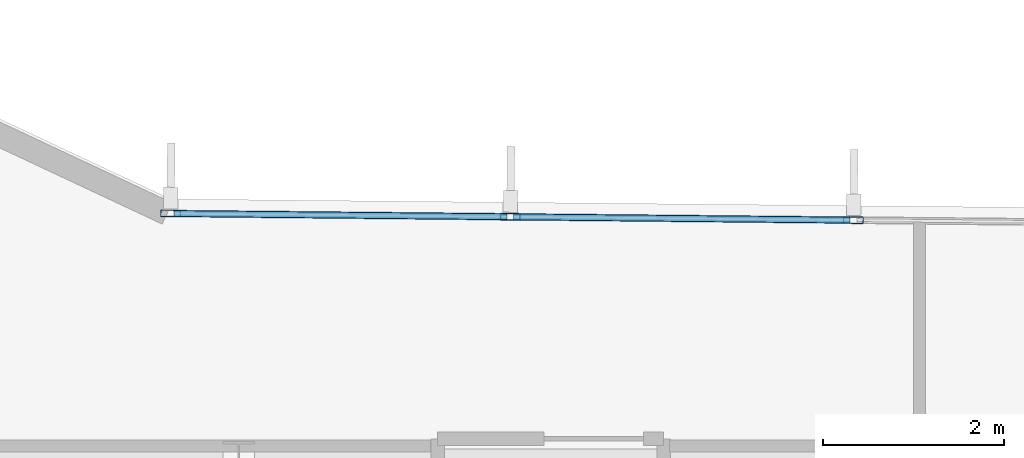
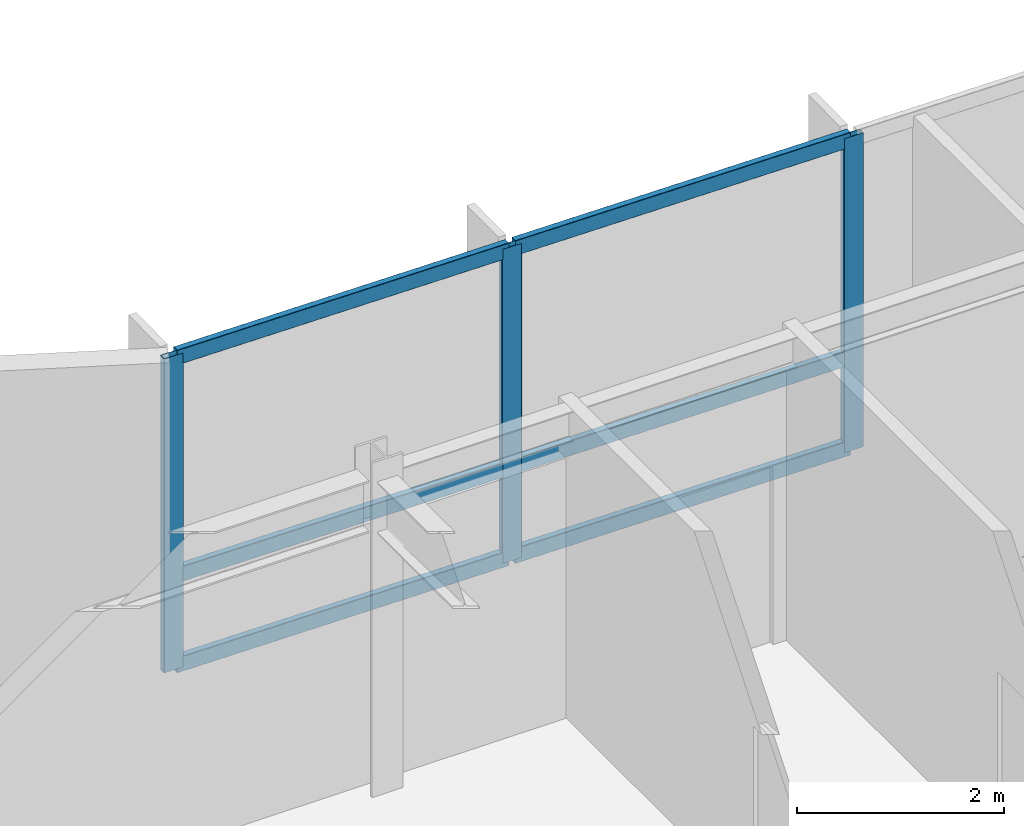
# One storey, part 4 of 19: 9 members, 1 element without a shape of its own.
"""IFC4 building model written with IfcOpenShell, lengths in metres."""

from ifc_helpers import new_model, si_unit, direction, frame, origin, origin_2d, place, context, subcontext, project, spatial, hollow_rectangle, extrude, material, layer, layer_set, material_profile, profile_set, type_object, element, aggregate, save


model = new_model("IFC4")

# Units and contexts
model_context = context("Model", 3, precision=1e-05, world=origin(), true_north=direction((0.0, 1.0)))
body_context = subcontext(model_context, "Body", "Model", "MODEL_VIEW")
ifc_project = project(units=[si_unit("LENGTHUNIT", "METRE"), si_unit("AREAUNIT", "SQUARE_METRE"), si_unit("VOLUMEUNIT", "CUBIC_METRE"), si_unit("PLANEANGLEUNIT", "RADIAN"), si_unit("MASSUNIT", "GRAM", prefix="KILO")], contexts=[model_context])

# Site, building, storey
site_placement = place(None, origin())
site = spatial("IfcSite", under=ifc_project, at=site_placement, CompositionType="ELEMENT")
building_placement = place(site_placement, origin())
building = spatial("IfcBuilding", under=site, at=building_placement, Name="Varnakote Quay Hospital", CompositionType="ELEMENT")
storey_placement = place(building_placement, frame((0.0, 0.0, 54.10009765625)))
storey = spatial("IfcBuildingStorey", under=building, at=storey_placement, Name="L13", CompositionType="ELEMENT", Elevation=54.10009765625)

# Curtain wall, members
ifc_material_1 = material(Name="Anodised aluminium 6063-T6 Bronze", Category="aluminium")
ifc_layer = layer(ifc_material_1, 0.18994140625)
ifc_layer_set = layer_set([ifc_layer], Name="Anodised aluminium 6063-T6 Bronze")
curtain_wall_type = type_object("IfcCurtainWallType", Name="CW-SYS-2", PredefinedType="NOTDEFINED", material=ifc_layer_set)
curtain_wall_placement = place(storey_placement, origin())
curtain_wall = element("IfcCurtainWall", 1, at=curtain_wall_placement, inside=storey, type_object=curtain_wall_type, Name="L13 Unitised Bronze Curtain Wall 2", PredefinedType="NOTDEFINED")
ifc_material_2 = material(Name="Anodised aluminium 6063-T6 Bronze", Category="aluminium")
ifc_material_profile_1 = material_profile(ifc_material_2, hollow_rectangle(XDim=0.074951171875, YDim=0.219970703125, WallThickness=0.00439453125, InnerFilletRadius=0.00439453125, OuterFilletRadius=0.009033203125, at=origin_2d()), Name="CW-MULL-220x75")
ifc_profile_set_1 = profile_set([ifc_material_profile_1], Name="Anodised aluminium 6063-T6 Bronze")
member_type_1 = type_object("IfcMemberType", Name="CW-MULL-220x75", PredefinedType="MULLION", material=ifc_profile_set_1)
member_1_placement = place(storey_placement, frame((31.99853515625, 31.418212890625, 0.0), z_axis=(0.0, 0.0, 1.0), x_axis=(-0.009774266312, -0.999952230718, 0.0)))
member_1 = element("IfcMember", 2, at=member_1_placement, type_object=member_type_1, Name="-2-L13-2 mullion 3", PredefinedType="MULLION", context=body_context, shape_type="SweptSolid", body=[
    extrude(hollow_rectangle(XDim=0.074951171875, YDim=0.219970703125, WallThickness=0.00439453125, InnerFilletRadius=0.00439453125, OuterFilletRadius=0.009033203125, at=origin_2d()), origin(), (0.0, 0.0, 1.0), 3.7099609375),
])
member_2_placement = place(storey_placement, frame((28.203125, 31.455078125, 0.0), z_axis=(0.0, 0.0, 1.0), x_axis=(-0.009774266312, -0.999952230718, 0.0)))
member_2 = element("IfcMember", 3, at=member_2_placement, type_object=member_type_1, Name="-2-L13-2 mullion 4", PredefinedType="MULLION", context=body_context, shape_type="SweptSolid", body=[
    extrude(hollow_rectangle(XDim=0.074951171875, YDim=0.219970703125, WallThickness=0.00439453125, InnerFilletRadius=0.00439453125, OuterFilletRadius=0.009033203125, at=origin_2d()), origin(), (0.0, 0.0, 1.0), 3.7099609375),
])
member_3_placement = place(storey_placement, frame((24.445068359375, 31.491943359375, 0.0), z_axis=(0.0, 0.0, 1.0), x_axis=(-0.009774266312, -0.999952230718, 0.0)))
member_3 = element("IfcMember", 4, at=member_3_placement, type_object=member_type_1, Name="-2-L13-2 mullion 5", PredefinedType="MULLION", context=body_context, shape_type="SweptSolid", body=[
    extrude(hollow_rectangle(XDim=0.074951171875, YDim=0.219970703125, WallThickness=0.00439453125, InnerFilletRadius=0.00439453125, OuterFilletRadius=0.009033203125, at=origin_2d()), origin(), (0.0, 0.0, 1.0), 3.7099609375),
])
ifc_material_3 = material(Name="Anodised aluminium 6063-T6 Bronze", Category="aluminium")
ifc_material_profile_2 = material_profile(ifc_material_3, hollow_rectangle(XDim=0.074951171875, YDim=0.179931640625, WallThickness=0.004150390625, InnerFilletRadius=0.004150390625, OuterFilletRadius=0.00830078125, at=origin_2d()), Name="CW-TRAN-180x75")
ifc_profile_set_2 = profile_set([ifc_material_profile_2], Name="Anodised aluminium 6063-T6 Bronze")
member_type_2 = type_object("IfcMemberType", Name="CW-TRAN-180x75", PredefinedType="USERDEFINED", material=ifc_profile_set_2)
member_4_placement = place(storey_placement, frame((31.961181640625, 31.41845703125, 0.037353515625), z_axis=(-0.999952209511, 0.009776435644, 0.0), x_axis=(-0.009776435644, -0.999952209511, 0.0)))
member_4 = element("IfcMember", 5, at=member_4_placement, type_object=member_type_2, Name="-2-L13-2 transom 3.1", ObjectType="TRANSOM", PredefinedType="USERDEFINED", context=body_context, shape_type="SweptSolid", body=[
    extrude(hollow_rectangle(XDim=0.074951171875, YDim=0.179931640625, WallThickness=0.004150390625, InnerFilletRadius=0.004150390625, OuterFilletRadius=0.00830078125, at=origin_2d()), origin(), (0.0, 0.0, 1.0), 3.720947265625),
])
member_5_placement = place(storey_placement, frame((31.961181640625, 31.41845703125, 1.099853515625), z_axis=(-0.999952209511, 0.009776435644, 0.0), x_axis=(-0.009776435644, -0.999952209511, 0.0)))
member_5 = element("IfcMember", 6, at=member_5_placement, type_object=member_type_2, Name="-2-L13-2 transom 3.2", ObjectType="TRANSOM", PredefinedType="USERDEFINED", context=body_context, shape_type="SweptSolid", body=[
    extrude(hollow_rectangle(XDim=0.074951171875, YDim=0.179931640625, WallThickness=0.004150390625, InnerFilletRadius=0.004150390625, OuterFilletRadius=0.00830078125, at=origin_2d()), origin(), (0.0, 0.0, 1.0), 3.720947265625),
])
member_6_placement = place(storey_placement, frame((31.961181640625, 31.41845703125, 3.67236328125), z_axis=(-0.999952209511, 0.009776435644, 0.0), x_axis=(-0.009776435644, -0.999952209511, 0.0)))
member_6 = element("IfcMember", 7, at=member_6_placement, type_object=member_type_2, Name="-2-L13-2 transom 3.3", ObjectType="TRANSOM", PredefinedType="USERDEFINED", context=body_context, shape_type="SweptSolid", body=[
    extrude(hollow_rectangle(XDim=0.074951171875, YDim=0.179931640625, WallThickness=0.004150390625, InnerFilletRadius=0.004150390625, OuterFilletRadius=0.00830078125, at=origin_2d()), origin(), (0.0, 0.0, 1.0), 3.720947265625),
])
member_7_placement = place(storey_placement, frame((28.16552734375, 31.45556640625, 0.037353515625), z_axis=(-0.999952523017, 0.00974431693, 0.0), x_axis=(-0.00974431693, -0.999952523017, 0.0)))
member_7 = element("IfcMember", 8, at=member_7_placement, type_object=member_type_2, Name="-2-L13-2 transom 4.1", ObjectType="TRANSOM", PredefinedType="USERDEFINED", context=body_context, shape_type="SweptSolid", body=[
    extrude(hollow_rectangle(XDim=0.074951171875, YDim=0.179931640625, WallThickness=0.004150390625, InnerFilletRadius=0.004150390625, OuterFilletRadius=0.00830078125, at=origin_2d()), origin(), (0.0, 0.0, 1.0), 3.68310546875),
])
member_8_placement = place(storey_placement, frame((28.16552734375, 31.45556640625, 1.099853515625), z_axis=(-0.999952523017, 0.00974431693, 0.0), x_axis=(-0.00974431693, -0.999952523017, 0.0)))
member_8 = element("IfcMember", 9, at=member_8_placement, type_object=member_type_2, Name="-2-L13-2 transom 4.2", ObjectType="TRANSOM", PredefinedType="USERDEFINED", context=body_context, shape_type="SweptSolid", body=[
    extrude(hollow_rectangle(XDim=0.074951171875, YDim=0.179931640625, WallThickness=0.004150390625, InnerFilletRadius=0.004150390625, OuterFilletRadius=0.00830078125, at=origin_2d()), origin(), (0.0, 0.0, 1.0), 3.68310546875),
])
member_9_placement = place(storey_placement, frame((28.16552734375, 31.45556640625, 3.67236328125), z_axis=(-0.999952523017, 0.00974431693, 0.0), x_axis=(-0.00974431693, -0.999952523017, 0.0)))
member_9 = element("IfcMember", 10, at=member_9_placement, type_object=member_type_2, Name="-2-L13-2 transom 4.3", ObjectType="TRANSOM", PredefinedType="USERDEFINED", context=body_context, shape_type="SweptSolid", body=[
    extrude(hollow_rectangle(XDim=0.074951171875, YDim=0.179931640625, WallThickness=0.004150390625, InnerFilletRadius=0.004150390625, OuterFilletRadius=0.00830078125, at=origin_2d()), origin(), (0.0, 0.0, 1.0), 3.68310546875),
])
aggregate(curtain_wall, [member_1, member_2, member_3, member_4, member_5, member_6, member_7, member_8, member_9])

save(model, "model.ifc")
